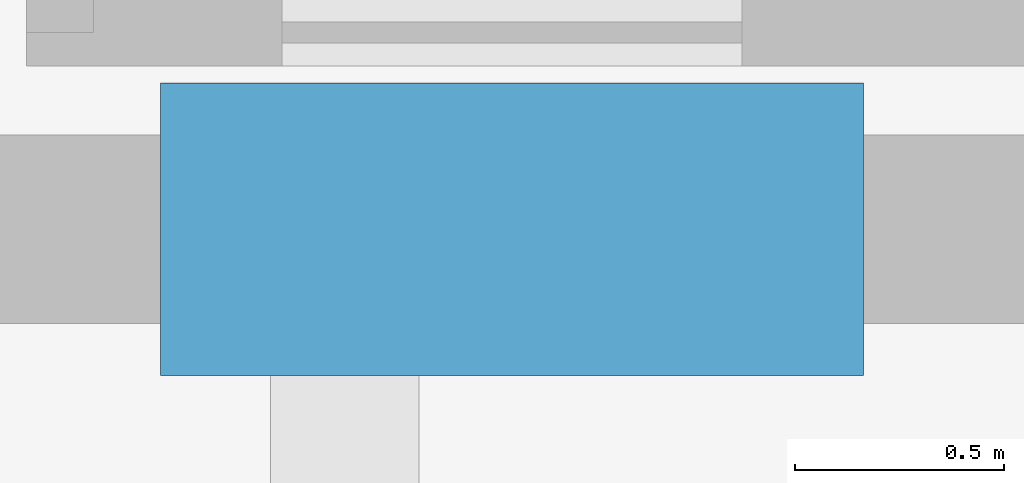
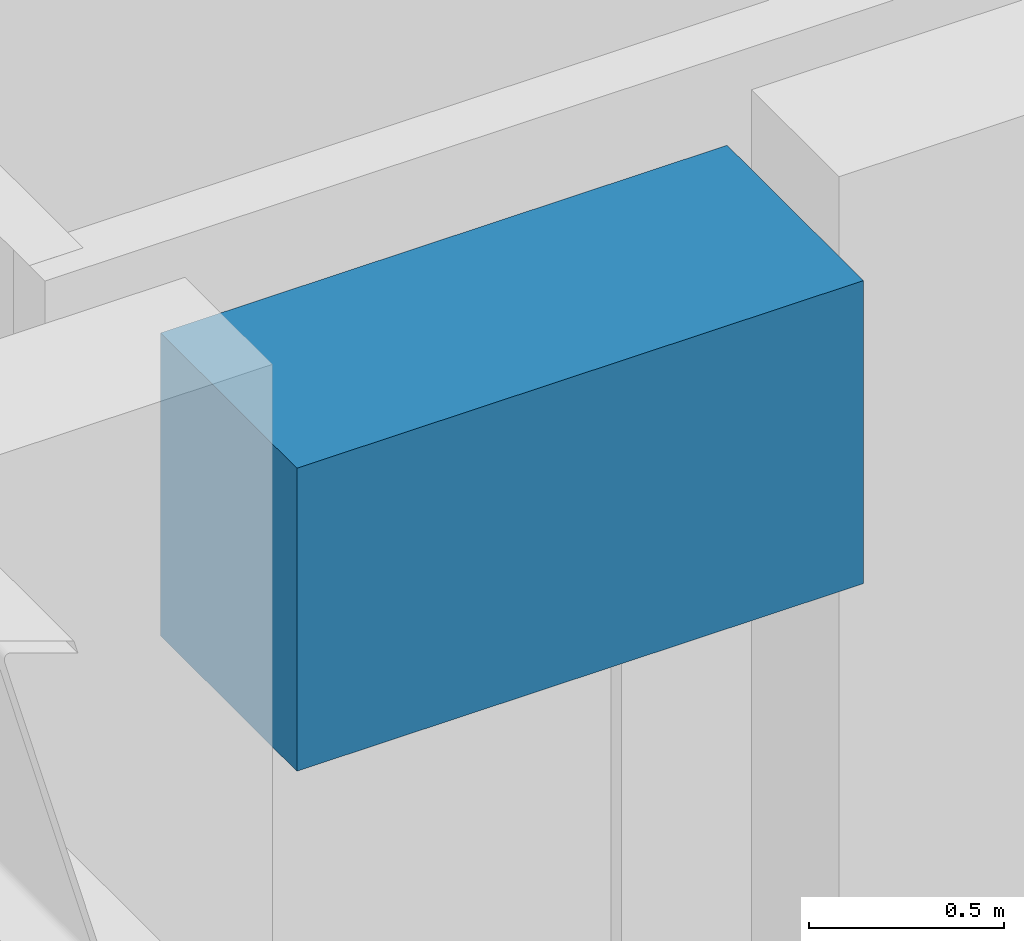
# One storey, part 7 of 31: 1 beam.
"""IFC4 building model written with IfcOpenShell, lengths in metres."""

import ifcopenshell
import ifcopenshell.guid

model = None  # the IFC model being written
_history = None  # IfcOwnerHistory: only IFC2X3 demands one
_inside = {}  # id of a spatial element -> (the spatial element, [elements in it])
_under = {}  # id of a project, library or spatial element -> (it, [spatial elements below it])
_declared = {}  # id of a project -> (the project, [libraries it declares])
_typed = {}  # id of a type object -> (the type object, [elements of that type])
_made_of = {}  # id of a material, layer set ... -> (it, [elements and type objects made of it])


def new_model(schema):
    """Start an empty IFC model of exactly this schema.

    Asked for "IFC4X3", IfcOpenShell would pick the latest addendum, in which some entities
    have other attributes; the version numbers below select the first issue.
    IFC2X3 requires an IfcOwnerHistory on every rooted entity: one is made here for all.
    """
    global model, _history
    if schema == "IFC4X3":
        model = ifcopenshell.file(schema_version=(4, 3, 0, 0))
    else:
        model = ifcopenshell.file(schema=schema)
    _inside.clear()
    _under.clear()
    _declared.clear()
    _typed.clear()
    _made_of.clear()
    _history = None
    if model.schema == "IFC2X3":
        org = make("IfcOrganization", Name="unknown")
        user = make(
            "IfcPersonAndOrganization",
            ThePerson=make("IfcPerson", FamilyName="unknown"),
            TheOrganization=org,
        )
        app = make(
            "IfcApplication",
            ApplicationDeveloper=org,
            Version="unknown",
            ApplicationFullName="unknown",
            ApplicationIdentifier="unknown",
        )
        _history = make(
            "IfcOwnerHistory",
            OwningUser=user,
            OwningApplication=app,
            ChangeAction="ADDED",
            CreationDate=0,
        )
    return model


def make(cls, **values):
    """One entity of the class cls with the attributes given. An attribute that is None is left unset."""
    return model.create_entity(
        cls, **{name: value for name, value in values.items() if value is not None}
    )


def rooted(cls, **values):
    """An entity with a GlobalId (a new one), such as an element, a storey or a relation."""
    return make(cls, GlobalId=ifcopenshell.guid.new(), OwnerHistory=_history, **values)


def si_unit(unit_type, name, prefix=None):
    """IfcSIUnit, for example si_unit("LENGTHUNIT", "METRE", prefix="MILLI")."""
    return make("IfcSIUnit", UnitType=unit_type, Prefix=prefix, Name=name)


def assignment(units):
    """IfcUnitAssignment: the units of a project."""
    return None if units is None else make("IfcUnitAssignment", Units=units)


def point(xyz):
    """IfcCartesianPoint."""
    return None if xyz is None else make("IfcCartesianPoint", Coordinates=xyz)


def direction(xyz):
    """IfcDirection."""
    return None if xyz is None else make("IfcDirection", DirectionRatios=xyz)


def frame(location, z_axis=None, x_axis=None):
    """IfcAxis2Placement3D, a coordinate frame: its origin and axes. An axis left out is left unset."""
    return make(
        "IfcAxis2Placement3D",
        Location=point(location),
        Axis=direction(z_axis),
        RefDirection=direction(x_axis),
    )


def frame_2d(location, x_axis=None):
    """IfcAxis2Placement2D, a coordinate frame in the plane: its origin and x axis."""
    return make(
        "IfcAxis2Placement2D", Location=point(location), RefDirection=direction(x_axis)
    )


def origin():
    """The frame at (0, 0, 0) with its axes left unset."""
    return frame((0.0, 0.0, 0.0))


def origin_2d():
    """The frame at (0, 0) in the plane with its x axis left unset."""
    return frame_2d((0.0, 0.0))


def place(relative_to, where):
    """IfcLocalPlacement: puts the frame where relative to a parent placement (None: the world)."""
    return make(
        "IfcLocalPlacement", PlacementRelTo=relative_to, RelativePlacement=where
    )


def context(
    kind, dimensions, precision=None, world=None, true_north=None, identifier=None
):
    """IfcGeometricRepresentationContext, for example the 3D "Model" context."""
    return make(
        "IfcGeometricRepresentationContext",
        ContextIdentifier=identifier,
        ContextType=kind,
        CoordinateSpaceDimension=dimensions,
        Precision=precision,
        WorldCoordinateSystem=world,
        TrueNorth=true_north,
    )


def subcontext(parent, identifier, kind, view, scale=None):
    """IfcGeometricRepresentationSubContext, for example "Body" below "Model"."""
    return make(
        "IfcGeometricRepresentationSubContext",
        ContextIdentifier=identifier,
        ContextType=kind,
        ParentContext=parent,
        TargetScale=scale,
        TargetView=view,
    )


def project(units=None, contexts=None):
    """IfcProject with its units and contexts."""
    return rooted(
        "IfcProject",
        Name="project",
        RepresentationContexts=contexts,
        UnitsInContext=assignment(units),
    )


def spatial(cls, under=None, at=None, **own):
    """A site, building, storey or space (cls), placed at a placement, below another one or the project."""
    s = rooted(cls, ObjectPlacement=at, **own)
    if under is not None:
        _under.setdefault(under.id(), (under, []))[1].append(s)
    return s


def profile(cls, at=None, kind="AREA", **sizes):
    """A parametric profile (cls). Its sizes go by their IFC names, for example OverallWidth=200.0."""
    return make(cls, ProfileType=kind, Position=at, **sizes)


def rectangle(**sizes):
    """IfcRectangleProfileDef."""
    return profile("IfcRectangleProfileDef", **sizes)


def extrude(swept, where, along, depth):
    """IfcExtrudedAreaSolid: the profile swept, set in the frame where, extruded along a direction by depth."""
    return make(
        "IfcExtrudedAreaSolid",
        SweptArea=swept,
        Position=where,
        ExtrudedDirection=direction(along),
        Depth=depth,
    )


def shape(context_of_items, identifier, shape_type, items):
    """IfcShapeRepresentation: the items that make up one representation, for example the "Body"."""
    return make(
        "IfcShapeRepresentation",
        ContextOfItems=context_of_items,
        RepresentationIdentifier=identifier,
        RepresentationType=shape_type,
        Items=items,
    )


def material(Name=None, Category=None):
    """IfcMaterial."""
    return make("IfcMaterial", Name=Name, Category=Category)


def material_profile(
    of_material, cross_section, Name=None, Category=None, Priority=None
):
    """IfcMaterialProfile: a cross section and its material."""
    return make(
        "IfcMaterialProfile",
        Name=Name,
        Material=of_material,
        Profile=cross_section,
        Priority=Priority,
        Category=Category,
    )


def profile_set(profiles, Name=None, composite=None):
    """IfcMaterialProfileSet."""
    return make(
        "IfcMaterialProfileSet",
        Name=Name,
        MaterialProfiles=profiles,
        CompositeProfile=composite,
    )


def made_of(thing, what):
    """Note that an element or type object is made of a material, layer set ...; save() writes the relation."""
    if what is not None:
        _made_of.setdefault(what.id(), (what, []))[1].append(thing)
    return thing


def type_object(cls, material=None, **own):
    """A type object (cls), such as IfcWallType, which elements share."""
    return made_of(rooted(cls, **own), material)


def element(
    cls,
    number,
    at=None,
    inside=None,
    cuts=None,
    type_object=None,
    material=None,
    context=None,
    identifier="Body",
    shape_type=None,
    held_by="IfcProductDefinitionShape",
    body=None,
    shapes=None,
    **own,
):
    """One element of the class cls, such as IfcWall. Its Tag is "e" and its number.

    at: its placement. inside: the storey or other place that contains it. cuts: it is an
    opening in that element (IfcRelVoidsElement). A single representation is given by context,
    identifier, shape_type and body (its items); several are given by shapes. held_by: the class
    of the entity that holds the representations. save() writes the other relations.
    """
    e = rooted(cls, Tag="e%d" % number, ObjectPlacement=at, **own)
    if body is not None:
        shapes = [shape(context, identifier, shape_type, body)]
    if shapes is not None:
        e.Representation = make(held_by, Representations=shapes)
    if inside is not None:
        _inside.setdefault(inside.id(), (inside, []))[1].append(e)
    if cuts is not None:
        rooted(
            "IfcRelVoidsElement", RelatingBuildingElement=cuts, RelatedOpeningElement=e
        )
    if type_object is not None:
        _typed.setdefault(type_object.id(), (type_object, []))[1].append(e)
    return made_of(e, material)


def aggregate(whole, parts):
    """IfcRelAggregates: a whole, such as a stair, and the parts it consists of."""
    return rooted("IfcRelAggregates", RelatingObject=whole, RelatedObjects=parts)


def save(model, path):
    """Write the relations noted so far, then the file.

    IfcRelAggregates (storeys below a building ...), IfcRelContainedInSpatialStructure (elements
    in a storey), IfcRelDefinesByType, IfcRelAssociatesMaterial and IfcRelDeclares: one each for
    every whole, place, type object, material and project.
    """
    for whole, parts in _under.values():
        aggregate(whole, parts)
    for where, things in _inside.values():
        rooted(
            "IfcRelContainedInSpatialStructure",
            RelatedElements=things,
            RelatingStructure=where,
        )
    for kind, things in _typed.values():
        rooted("IfcRelDefinesByType", RelatedObjects=things, RelatingType=kind)
    for what, things in _made_of.values():
        rooted("IfcRelAssociatesMaterial", RelatedObjects=things, RelatingMaterial=what)
    for by, libraries in _declared.values():
        rooted("IfcRelDeclares", RelatingContext=by, RelatedDefinitions=libraries)
    model.write(path)


model = new_model("IFC4")

# Units and contexts
model_context = context("Model", 3, precision=1e-05, world=origin(), true_north=direction((0.0, 1.0)))
body_context = subcontext(model_context, "Body", "Model", "MODEL_VIEW")
ifc_project = project(units=[si_unit("LENGTHUNIT", "METRE"), si_unit("AREAUNIT", "SQUARE_METRE"), si_unit("VOLUMEUNIT", "CUBIC_METRE"), si_unit("PLANEANGLEUNIT", "RADIAN"), si_unit("MASSUNIT", "GRAM", prefix="KILO")], contexts=[model_context])

# Site, building, storey
site_placement = place(None, origin())
site = spatial("IfcSite", under=ifc_project, at=site_placement, CompositionType="ELEMENT")
building_placement = place(site_placement, origin())
building = spatial("IfcBuilding", under=site, at=building_placement, Name="Kolvaren Belvedere", CompositionType="ELEMENT")
storey_placement = place(building_placement, frame((0.0, 0.0, 247.89990234375)))
storey = spatial("IfcBuildingStorey", under=building, at=storey_placement, Name="L72", CompositionType="ELEMENT", Elevation=247.89990234375)

# Beam
ifc_material = material(Name="Concrete C60/75", Category="concrete")
ifc_material_profile = material_profile(ifc_material, rectangle(XDim=0.699951171875, YDim=0.949951171875, at=origin_2d()), Name="RC 700X950")
ifc_profile_set = profile_set([ifc_material_profile], Name="Concrete C60/75")
beam_type = type_object("IfcBeamType", Name="BM-LINT-950", PredefinedType="LINTEL", material=ifc_profile_set)
beam_placement = place(storey_placement, frame((-3.5400390625, -9.89990234375, 2.775146484375), z_axis=(1.0, 0.0, 0.0), x_axis=(0.0, 1.0, 0.0)))
element("IfcBeam", 1, at=beam_placement, inside=storey, type_object=beam_type, Name="L72 South Core Coupling Lintel", PredefinedType="LINTEL", context=body_context, shape_type="SweptSolid", body=[
    extrude(rectangle(XDim=0.699951171875, YDim=0.949951171875, at=origin_2d()), origin(), (0.0, 0.0, 1.0), 1.679931640625),
])

save(model, "model.ifc")
